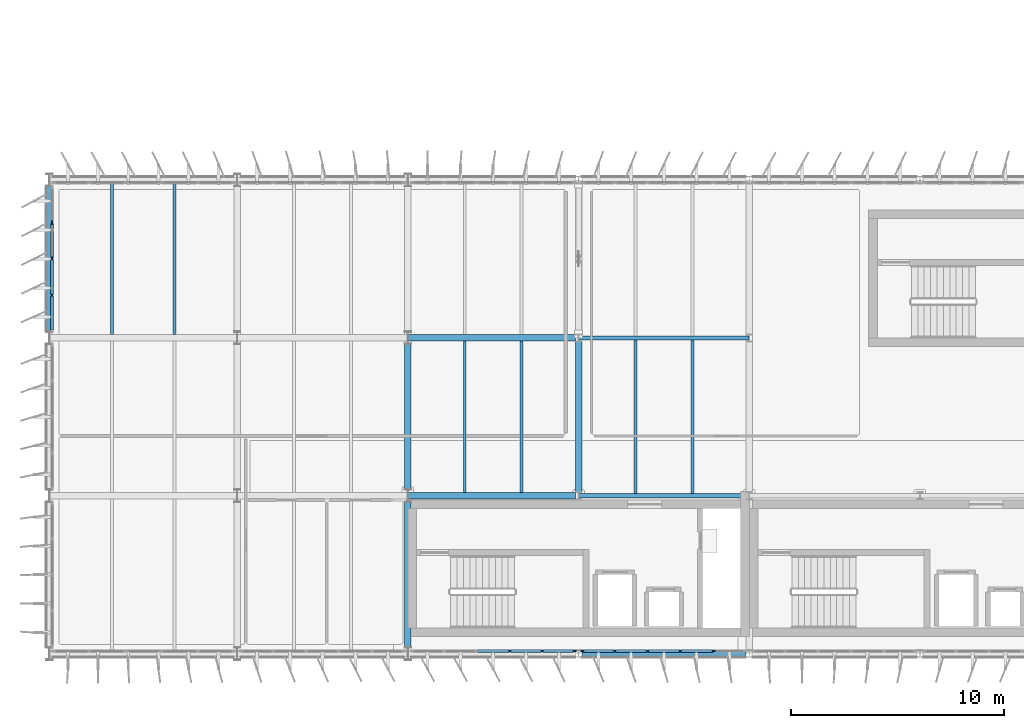
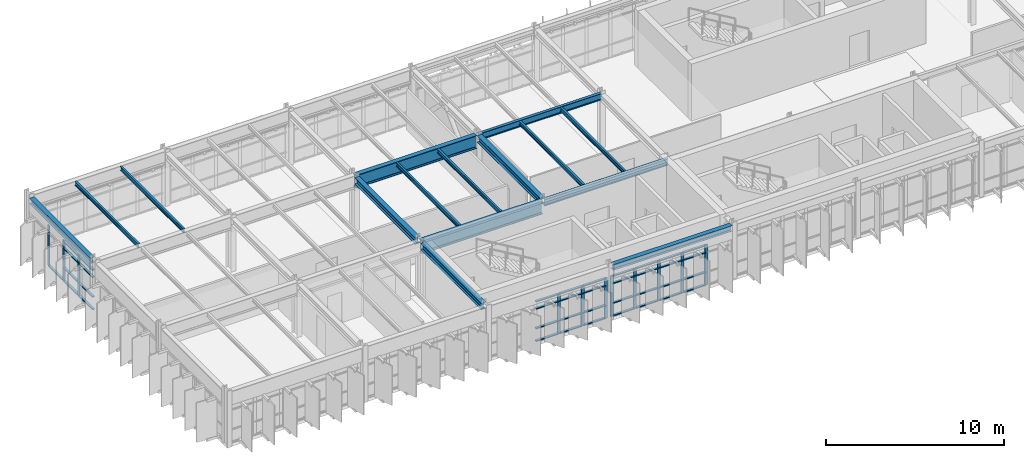
# One storey, part 8 of 45: 48 members, 15 beams, 3 elements without a shape of their own.
"""IFC4 building model written with IfcOpenShell, lengths in metres."""

from ifc_helpers import new_model, si_unit, direction, frame, origin, origin_2d, place, context, subcontext, project, spatial, rectangle, i_section, extrude, material, layer, layer_set, material_profile, profile_set, type_object, element, aggregate, save


model = new_model("IFC4")

# Units and contexts
model_context = context("Model", 3, precision=1e-05, world=origin(), true_north=direction((0.0, 1.0)))
body_context = subcontext(model_context, "Body", "Model", "MODEL_VIEW")
ifc_project = project(units=[si_unit("LENGTHUNIT", "METRE"), si_unit("AREAUNIT", "SQUARE_METRE"), si_unit("VOLUMEUNIT", "CUBIC_METRE"), si_unit("PLANEANGLEUNIT", "RADIAN"), si_unit("MASSUNIT", "GRAM", prefix="KILO")], contexts=[model_context])

# Site, building, storey
site_placement = place(None, origin())
site = spatial("IfcSite", under=ifc_project, at=site_placement, CompositionType="ELEMENT")
building_placement = place(site_placement, origin())
building = spatial("IfcBuilding", under=site, at=building_placement, Name="Valkorina Park Police Headquarters", CompositionType="ELEMENT")
storey_placement = place(building_placement, frame((0.0, 0.0, 23.300048828125)))
storey = spatial("IfcBuildingStorey", under=building, at=storey_placement, Name="L06", CompositionType="ELEMENT", Elevation=23.300048828125)

# Beams
ifc_material_1 = material(Name="Steel S355", Category="steel")
ifc_material_profile_1 = material_profile(ifc_material_1, i_section(OverallWidth=0.300048828125, OverallDepth=0.389892578125, WebThickness=0.010986328125, FlangeThickness=0.01904296875, FilletRadius=0.027099609375, at=origin_2d()), Name="HEA 400")
ifc_profile_set_1 = profile_set([ifc_material_profile_1], Name="Steel S355")
beam_type_1 = type_object("IfcBeamType", Name="BM-S355-HEA400-SPN", PredefinedType="SPANDREL", material=ifc_profile_set_1)
beam_1_placement = place(storey_placement, frame((24.949951171875, 37.0, 3.48486328125), z_axis=(1.0, 0.0, 0.0), x_axis=(0.0, 1.0, 0.0)))
element("IfcBeam", 1, at=beam_1_placement, inside=storey, type_object=beam_type_1, Name="L06 Framing Beam 2605", PredefinedType="SPANDREL", context=body_context, shape_type="SweptSolid", body=[
    extrude(i_section(OverallWidth=0.300048828125, OverallDepth=0.389892578125, WebThickness=0.010986328125, FlangeThickness=0.01904296875, FilletRadius=0.027099609375, at=origin_2d()), origin(), (0.0, 0.0, 1.0), 7.699951171875),
])
beam_2_placement = place(storey_placement, frame((0.0, 52.10009765625, 3.48486328125), z_axis=(0.0, 1.0, 0.0), x_axis=(-1.0, 0.0, 0.0)))
element("IfcBeam", 2, at=beam_2_placement, inside=storey, type_object=beam_type_1, Name="L06 Framing Beam 2661", PredefinedType="SPANDREL", context=body_context, shape_type="SweptSolid", body=[
    extrude(i_section(OverallWidth=0.300048828125, OverallDepth=0.389892578125, WebThickness=0.010986328125, FlangeThickness=0.01904296875, FilletRadius=0.027099609375, at=origin_2d()), origin(), (0.0, 0.0, 1.0), 6.7998046875),
])
ifc_material_profile_2 = material_profile(ifc_material_1, i_section(OverallWidth=0.300048828125, OverallDepth=0.449951171875, WebThickness=0.013916015625, FlangeThickness=0.02587890625, FilletRadius=0.027099609375, at=origin_2d()), Name="HEB 450")
ifc_profile_set_2 = profile_set([ifc_material_profile_2], Name="Steel S355")
beam_type_2 = type_object("IfcBeamType", Name="BM-S355-HEB450-BM", PredefinedType="BEAM", material=ifc_profile_set_2)
for number, where, z_axis, x_axis, name in (
    (3, (16.800048828125, 37.300048828125, 3.454833984375), (0.0, 1.0, 0.0), (-1.0, 0.0, 0.0), "L06 Framing Beam 2673"),
    (4, (16.800048828125, 44.699951171875, 3.454833984375), (0.0, 1.0, 0.0), (-1.0, 0.0, 0.0), "L06 Framing Beam 2674"),
):
    element("IfcBeam", number, at=place(storey_placement, frame(where, z_axis=z_axis, x_axis=x_axis)), inside=storey, type_object=beam_type_2, Name=name, PredefinedType="BEAM", context=body_context, shape_type="SweptSolid", body=[
        extrude(i_section(OverallWidth=0.300048828125, OverallDepth=0.449951171875, WebThickness=0.013916015625, FlangeThickness=0.02587890625, FilletRadius=0.027099609375, at=origin_2d()), origin(), (0.0, 0.0, 1.0), 6.800048828125),
    ])
beam_3_placement = place(storey_placement, frame((24.800048828125, 44.580078125, 3.454833984375), z_axis=(0.0, 1.0, 0.0), x_axis=(-1.0, 0.0, 0.0)))
element("IfcBeam", 5, at=beam_3_placement, inside=storey, type_object=beam_type_2, Name="L06 Framing Beam 2680", PredefinedType="BEAM", context=body_context, shape_type="SweptSolid", body=[
    extrude(i_section(OverallWidth=0.300048828125, OverallDepth=0.449951171875, WebThickness=0.013916015625, FlangeThickness=0.02587890625, FilletRadius=0.027099609375, at=origin_2d()), origin(), (0.0, 0.0, 1.0), 7.0400390625),
])
ifc_material_profile_3 = material_profile(ifc_material_1, i_section(OverallWidth=0.300048828125, OverallDepth=0.89990234375, WebThickness=0.0185546875, FlangeThickness=0.034912109375, FilletRadius=0.030029296875, at=origin_2d()), Name="HEB 900")
ifc_profile_set_3 = profile_set([ifc_material_profile_3], Name="Steel S355")
beam_type_3 = type_object("IfcBeamType", Name="BM-S355-HEB900-BM", PredefinedType="BEAM", material=ifc_profile_set_3)
for number, where, z_axis, x_axis, name in (
    (6, (16.8076171875, 44.39990234375, 3.22998046875), (1.0, 0.0, 0.0), (0.0, 1.0, 0.0), "L06 Framing Beam 2616"),
    (7, (16.8076171875, 51.800048828125, 3.22998046875), (1.0, 0.0, 0.0), (0.0, 1.0, 0.0), "L06 Framing Beam 2625"),
):
    element("IfcBeam", number, at=place(storey_placement, frame(where, z_axis=z_axis, x_axis=x_axis)), inside=storey, type_object=beam_type_3, Name=name, PredefinedType="BEAM", context=body_context, shape_type="SweptSolid", body=[
        extrude(i_section(OverallWidth=0.300048828125, OverallDepth=0.89990234375, WebThickness=0.0185546875, FlangeThickness=0.034912109375, FilletRadius=0.030029296875, at=origin_2d()), origin(), (0.0, 0.0, 1.0), 7.84228515625),
    ])
ifc_material_profile_4 = material_profile(ifc_material_1, i_section(OverallWidth=0.135009765625, OverallDepth=0.27001953125, WebThickness=0.006591796875, FlangeThickness=0.01025390625, FilletRadius=0.014892578125, at=origin_2d()), Name="IPE 270")
ifc_profile_set_4 = profile_set([ifc_material_profile_4], Name="Steel S355")
beam_type_4 = type_object("IfcBeamType", Name="BM-S355-IPE270-JST", PredefinedType="JOIST", material=ifc_profile_set_4)
for number, where, z_axis, x_axis, name in (
    (8, (2.933349609375, 51.949951171875, 3.544921875), (0.0, 1.0, 0.0), (-1.0, 0.0, 0.0), "L06 Framing Beam 2662"),
    (9, (5.86669921875, 51.949951171875, 3.544921875), (0.0, 1.0, 0.0), (-1.0, 0.0, 0.0), "L06 Framing Beam 2663"),
):
    element("IfcBeam", number, at=place(storey_placement, frame(where, z_axis=z_axis, x_axis=x_axis)), inside=storey, type_object=beam_type_4, Name=name, PredefinedType="JOIST", context=body_context, shape_type="SweptSolid", body=[
        extrude(i_section(OverallWidth=0.135009765625, OverallDepth=0.27001953125, WebThickness=0.006591796875, FlangeThickness=0.01025390625, FilletRadius=0.014892578125, at=origin_2d()), origin(), (0.0, 0.0, 1.0), 7.10009765625),
    ])
for number, where, z_axis, x_axis, name in (
    (10, (19.466796875, 44.550048828125, 3.544921875), (0.0, 1.0, 0.0), (-1.0, 0.0, 0.0), "L06 Framing Beam 2675"),
    (11, (22.13330078125, 44.550048828125, 3.544921875), (0.0, 1.0, 0.0), (-1.0, 0.0, 0.0), "L06 Framing Beam 2676"),
):
    element("IfcBeam", number, at=place(storey_placement, frame(where, z_axis=z_axis, x_axis=x_axis)), inside=storey, type_object=beam_type_4, Name=name, PredefinedType="JOIST", context=body_context, shape_type="SweptSolid", body=[
        extrude(i_section(OverallWidth=0.135009765625, OverallDepth=0.27001953125, WebThickness=0.006591796875, FlangeThickness=0.01025390625, FilletRadius=0.014892578125, at=origin_2d()), origin(), (0.0, 0.0, 1.0), 7.099853515625),
    ])
for number, where, z_axis, x_axis, name in (
    (12, (27.466796875, 44.4951171875, 3.544921875), (0.0, 1.0, 0.0), (-1.0, 0.0, 0.0), "L06 Framing Beam 2681"),
    (13, (30.13330078125, 44.4951171875, 3.544921875), (0.0, 1.0, 0.0), (-1.0, 0.0, 0.0), "L06 Framing Beam 2682"),
):
    element("IfcBeam", number, at=place(storey_placement, frame(where, z_axis=z_axis, x_axis=x_axis)), inside=storey, type_object=beam_type_4, Name=name, PredefinedType="JOIST", context=body_context, shape_type="SweptSolid", body=[
        extrude(i_section(OverallWidth=0.135009765625, OverallDepth=0.27001953125, WebThickness=0.006591796875, FlangeThickness=0.01025390625, FilletRadius=0.014892578125, at=origin_2d()), origin(), (0.0, 0.0, 1.0), 7.2099609375),
    ])
ifc_material_profile_5 = material_profile(ifc_material_1, i_section(OverallWidth=0.18994140625, OverallDepth=0.449951171875, WebThickness=0.009521484375, FlangeThickness=0.0146484375, FilletRadius=0.02099609375, at=origin_2d()), Name="IPE 450")
ifc_profile_set_5 = profile_set([ifc_material_profile_5], Name="Steel S355")
beam_type_5 = type_object("IfcBeamType", Name="BM-S355-IPE450-BM", PredefinedType="BEAM", material=ifc_profile_set_5)
for number, where, z_axis, x_axis, name in (
    (14, (24.806396484375, 44.39990234375, 3.454833984375), (1.0, 0.0, 0.0), (0.0, 1.0, 0.0), "L06 Framing Beam 2617"),
    (15, (24.806396484375, 51.800048828125, 3.454833984375), (1.0, 0.0, 0.0), (0.0, 1.0, 0.0), "L06 Framing Beam 2626"),
):
    element("IfcBeam", number, at=place(storey_placement, frame(where, z_axis=z_axis, x_axis=x_axis)), inside=storey, type_object=beam_type_5, Name=name, PredefinedType="BEAM", context=body_context, shape_type="SweptSolid", body=[
        extrude(i_section(OverallWidth=0.18994140625, OverallDepth=0.449951171875, WebThickness=0.009521484375, FlangeThickness=0.0146484375, FilletRadius=0.02099609375, at=origin_2d()), origin(), (0.0, 0.0, 1.0), 7.9873046875),
    ])

# Curtain wall, members
ifc_material_2 = material(Name="Thermally broken aluminium AW-6060", Category="aluminium")
ifc_layer_1 = layer(ifc_material_2, 0.18994140625)
ifc_layer_set_1 = layer_set([ifc_layer_1], Name="Thermally broken aluminium AW-6060")
curtain_wall_type_1 = type_object("IfcCurtainWallType", Name="CW-V5-6780x2770", PredefinedType="NOTDEFINED", material=ifc_layer_set_1)
curtain_wall_1_placement = place(storey_placement, origin())
curtain_wall_1 = element("IfcCurtainWall", 16, at=curtain_wall_1_placement, inside=storey, type_object=curtain_wall_type_1, Name="L06 Unitised Curtain Wall 099", PredefinedType="NOTDEFINED")
ifc_material_profile_6 = material_profile(ifc_material_2, rectangle(XDim=0.070068359375, YDim=0.18994140625, at=origin_2d()), Name="CWM-02 70x190")
ifc_profile_set_6 = profile_set([ifc_material_profile_6], Name="Thermally broken aluminium AW-6060")
member_type_1 = type_object("IfcMemberType", Name="CWM-70x190", PredefinedType="MULLION", material=ifc_profile_set_6)
member_1_placement = place(storey_placement, frame((0.1201171875, 53.804931640625, 0.0), z_axis=(0.0, 0.0, 1.0), x_axis=(-1.0, 0.0, 0.0)))
member_1 = element("IfcMember", 17, at=member_1_placement, type_object=member_type_1, Name="CW-V5-678-277 mullion 2", PredefinedType="MULLION", context=body_context, shape_type="SweptSolid", body=[
    extrude(rectangle(XDim=0.070068359375, YDim=0.18994140625, at=origin_2d()), origin(), (0.0, 0.0, 1.0), 2.77001953125),
])
member_2_placement = place(storey_placement, frame((0.1201171875, 55.5, 0.0), z_axis=(0.0, 0.0, 1.0), x_axis=(-1.0, 0.0, 0.0)))
member_2 = element("IfcMember", 18, at=member_2_placement, type_object=member_type_1, Name="CW-V5-678-277 mullion 3", PredefinedType="MULLION", context=body_context, shape_type="SweptSolid", body=[
    extrude(rectangle(XDim=0.070068359375, YDim=0.18994140625, at=origin_2d()), origin(), (0.0, 0.0, 1.0), 2.77001953125),
])
member_3_placement = place(storey_placement, frame((0.1201171875, 57.195068359375, 0.0), z_axis=(0.0, 0.0, 1.0), x_axis=(-1.0, 0.0, 0.0)))
member_3 = element("IfcMember", 19, at=member_3_placement, type_object=member_type_1, Name="CW-V5-678-277 mullion 4", PredefinedType="MULLION", context=body_context, shape_type="SweptSolid", body=[
    extrude(rectangle(XDim=0.070068359375, YDim=0.18994140625, at=origin_2d()), origin(), (0.0, 0.0, 1.0), 2.77001953125),
])

ifc_layer_2 = layer(ifc_material_2, 0.18994140625)
ifc_layer_set_2 = layer_set([ifc_layer_2], Name="Thermally broken aluminium AW-6060")
curtain_wall_type_2 = type_object("IfcCurtainWallType", Name="CW-V5-7680x2770", PredefinedType="NOTDEFINED", material=ifc_layer_set_2)
curtain_wall_2_placement = place(storey_placement, origin())
curtain_wall_2 = element("IfcCurtainWall", 20, at=curtain_wall_2_placement, inside=storey, type_object=curtain_wall_type_2, Name="L06 Unitised Curtain Wall 129", PredefinedType="NOTDEFINED")
member_4_placement = place(storey_placement, frame((31.10400390625, 37.1201171875, 0.0), z_axis=(0.0, 0.0, 1.0), x_axis=(0.0, -1.0, 0.0)))
member_4 = element("IfcMember", 21, at=member_4_placement, type_object=member_type_1, Name="CW-V5-768-277 mullion 2", PredefinedType="MULLION", context=body_context, shape_type="SweptSolid", body=[
    extrude(rectangle(XDim=0.070068359375, YDim=0.18994140625, at=origin_2d()), origin(), (0.0, 0.0, 1.0), 2.77001953125),
])
member_5_placement = place(storey_placement, frame((29.568115234375, 37.1201171875, 0.0), z_axis=(0.0, 0.0, 1.0), x_axis=(0.0, -1.0, 0.0)))
member_5 = element("IfcMember", 22, at=member_5_placement, type_object=member_type_1, Name="CW-V5-768-277 mullion 3", PredefinedType="MULLION", context=body_context, shape_type="SweptSolid", body=[
    extrude(rectangle(XDim=0.070068359375, YDim=0.18994140625, at=origin_2d()), origin(), (0.0, 0.0, 1.0), 2.77001953125),
])
member_6_placement = place(storey_placement, frame((28.031982421875, 37.1201171875, 0.0), z_axis=(0.0, 0.0, 1.0), x_axis=(0.0, -1.0, 0.0)))
member_6 = element("IfcMember", 23, at=member_6_placement, type_object=member_type_1, Name="CW-V5-768-277 mullion 4", PredefinedType="MULLION", context=body_context, shape_type="SweptSolid", body=[
    extrude(rectangle(XDim=0.070068359375, YDim=0.18994140625, at=origin_2d()), origin(), (0.0, 0.0, 1.0), 2.77001953125),
])
member_7_placement = place(storey_placement, frame((26.49609375, 37.1201171875, 0.0), z_axis=(0.0, 0.0, 1.0), x_axis=(0.0, -1.0, 0.0)))
member_7 = element("IfcMember", 24, at=member_7_placement, type_object=member_type_1, Name="CW-V5-768-277 mullion 5", PredefinedType="MULLION", context=body_context, shape_type="SweptSolid", body=[
    extrude(rectangle(XDim=0.070068359375, YDim=0.18994140625, at=origin_2d()), origin(), (0.0, 0.0, 1.0), 2.77001953125),
])
member_8_placement = place(storey_placement, frame((24.9951171875, 37.1201171875, 0.0), z_axis=(0.0, 0.0, 1.0), x_axis=(0.0, -1.0, 0.0)))
member_8 = element("IfcMember", 25, at=member_8_placement, type_object=member_type_1, Name="CW-V5-768-277 mullion 6", PredefinedType="MULLION", context=body_context, shape_type="SweptSolid", body=[
    extrude(rectangle(XDim=0.070068359375, YDim=0.18994140625, at=origin_2d()), origin(), (0.0, 0.0, 1.0), 2.77001953125),
])

curtain_wall_3_placement = place(storey_placement, origin())
curtain_wall_3 = element("IfcCurtainWall", 26, at=curtain_wall_3_placement, inside=storey, type_object=curtain_wall_type_2, Name="L06 Unitised Curtain Wall 130", PredefinedType="NOTDEFINED")
member_9_placement = place(storey_placement, frame((24.60498046875, 37.1201171875, 0.0), z_axis=(0.0, 0.0, 1.0), x_axis=(0.0, -1.0, 0.0)))
member_9 = element("IfcMember", 27, at=member_9_placement, type_object=member_type_1, Name="CW-V5-768-277 mullion 1", PredefinedType="MULLION", context=body_context, shape_type="SweptSolid", body=[
    extrude(rectangle(XDim=0.070068359375, YDim=0.18994140625, at=origin_2d()), origin(), (0.0, 0.0, 1.0), 2.77001953125),
])
member_10_placement = place(storey_placement, frame((23.10400390625, 37.1201171875, 0.0), z_axis=(0.0, 0.0, 1.0), x_axis=(0.0, -1.0, 0.0)))
member_10 = element("IfcMember", 28, at=member_10_placement, type_object=member_type_1, Name="CW-V5-768-277 mullion 2", PredefinedType="MULLION", context=body_context, shape_type="SweptSolid", body=[
    extrude(rectangle(XDim=0.070068359375, YDim=0.18994140625, at=origin_2d()), origin(), (0.0, 0.0, 1.0), 2.77001953125),
])
member_11_placement = place(storey_placement, frame((21.568115234375, 37.1201171875, 0.0), z_axis=(0.0, 0.0, 1.0), x_axis=(0.0, -1.0, 0.0)))
member_11 = element("IfcMember", 29, at=member_11_placement, type_object=member_type_1, Name="CW-V5-768-277 mullion 3", PredefinedType="MULLION", context=body_context, shape_type="SweptSolid", body=[
    extrude(rectangle(XDim=0.070068359375, YDim=0.18994140625, at=origin_2d()), origin(), (0.0, 0.0, 1.0), 2.77001953125),
])

# Member
ifc_material_profile_7 = material_profile(ifc_material_2, rectangle(XDim=0.14990234375, YDim=0.070068359375, at=origin_2d()), Name="CWT-02 150x70")
ifc_profile_set_7 = profile_set([ifc_material_profile_7], Name="Thermally broken aluminium AW-6060")
member_type_2 = type_object("IfcMemberType", Name="CWT-150x70", PredefinedType="USERDEFINED", material=ifc_profile_set_7)
member_12_placement = place(storey_placement, frame((0.1201171875, 52.179931640625, 0.034912109375), z_axis=(0.0, 1.0, 0.0), x_axis=(-1.0, 0.0, 0.0)))
member_12 = element("IfcMember", 30, at=member_12_placement, type_object=member_type_2, Name="CW-V5-678-277 transom 1.1", ObjectType="TRANSOM", PredefinedType="USERDEFINED", context=body_context, shape_type="SweptSolid", body=[
    extrude(rectangle(XDim=0.14990234375, YDim=0.070068359375, at=origin_2d()), origin(), (0.0, 0.0, 1.0), 1.590087890625),
])

member_13_placement = place(storey_placement, frame((0.1201171875, 52.179931640625, 0.89990234375), z_axis=(0.0, 1.0, 0.0), x_axis=(-1.0, 0.0, 0.0)))
member_13 = element("IfcMember", 31, at=member_13_placement, type_object=member_type_2, Name="CW-V5-678-277 transom 1.2", ObjectType="TRANSOM", PredefinedType="USERDEFINED", context=body_context, shape_type="SweptSolid", body=[
    extrude(rectangle(XDim=0.14990234375, YDim=0.070068359375, at=origin_2d()), origin(), (0.0, 0.0, 1.0), 1.590087890625),
])

member_14_placement = place(storey_placement, frame((0.1201171875, 52.179931640625, 2.25), z_axis=(0.0, 1.0, 0.0), x_axis=(-1.0, 0.0, 0.0)))
member_14 = element("IfcMember", 32, at=member_14_placement, type_object=member_type_2, Name="CW-V5-678-277 transom 1.3", ObjectType="TRANSOM", PredefinedType="USERDEFINED", context=body_context, shape_type="SweptSolid", body=[
    extrude(rectangle(XDim=0.14990234375, YDim=0.070068359375, at=origin_2d()), origin(), (0.0, 0.0, 1.0), 1.590087890625),
])

member_15_placement = place(storey_placement, frame((0.1201171875, 52.179931640625, 2.73486328125), z_axis=(0.0, 1.0, 0.0), x_axis=(-1.0, 0.0, 0.0)))
member_15 = element("IfcMember", 33, at=member_15_placement, type_object=member_type_2, Name="CW-V5-678-277 transom 1.4", ObjectType="TRANSOM", PredefinedType="USERDEFINED", context=body_context, shape_type="SweptSolid", body=[
    extrude(rectangle(XDim=0.14990234375, YDim=0.070068359375, at=origin_2d()), origin(), (0.0, 0.0, 1.0), 1.590087890625),
])

member_16_placement = place(storey_placement, frame((0.1201171875, 53.840087890625, 0.034912109375), z_axis=(0.0, 1.0, 0.0), x_axis=(-1.0, 0.0, 0.0)))
member_16 = element("IfcMember", 34, at=member_16_placement, type_object=member_type_2, Name="CW-V5-678-277 transom 2.1", ObjectType="TRANSOM", PredefinedType="USERDEFINED", context=body_context, shape_type="SweptSolid", body=[
    extrude(rectangle(XDim=0.14990234375, YDim=0.070068359375, at=origin_2d()), origin(), (0.0, 0.0, 1.0), 1.625),
])

member_17_placement = place(storey_placement, frame((0.1201171875, 53.840087890625, 0.89990234375), z_axis=(0.0, 1.0, 0.0), x_axis=(-1.0, 0.0, 0.0)))
member_17 = element("IfcMember", 35, at=member_17_placement, type_object=member_type_2, Name="CW-V5-678-277 transom 2.2", ObjectType="TRANSOM", PredefinedType="USERDEFINED", context=body_context, shape_type="SweptSolid", body=[
    extrude(rectangle(XDim=0.14990234375, YDim=0.070068359375, at=origin_2d()), origin(), (0.0, 0.0, 1.0), 1.625),
])

member_18_placement = place(storey_placement, frame((0.1201171875, 53.840087890625, 2.25), z_axis=(0.0, 1.0, 0.0), x_axis=(-1.0, 0.0, 0.0)))
member_18 = element("IfcMember", 36, at=member_18_placement, type_object=member_type_2, Name="CW-V5-678-277 transom 2.3", ObjectType="TRANSOM", PredefinedType="USERDEFINED", context=body_context, shape_type="SweptSolid", body=[
    extrude(rectangle(XDim=0.14990234375, YDim=0.070068359375, at=origin_2d()), origin(), (0.0, 0.0, 1.0), 1.625),
])

member_19_placement = place(storey_placement, frame((0.1201171875, 53.840087890625, 2.73486328125), z_axis=(0.0, 1.0, 0.0), x_axis=(-1.0, 0.0, 0.0)))
member_19 = element("IfcMember", 37, at=member_19_placement, type_object=member_type_2, Name="CW-V5-678-277 transom 2.4", ObjectType="TRANSOM", PredefinedType="USERDEFINED", context=body_context, shape_type="SweptSolid", body=[
    extrude(rectangle(XDim=0.14990234375, YDim=0.070068359375, at=origin_2d()), origin(), (0.0, 0.0, 1.0), 1.625),
])

member_20_placement = place(storey_placement, frame((0.1201171875, 55.534912109375, 0.034912109375), z_axis=(0.0, 1.0, 0.0), x_axis=(-1.0, 0.0, 0.0)))
member_20 = element("IfcMember", 38, at=member_20_placement, type_object=member_type_2, Name="CW-V5-678-277 transom 3.1", ObjectType="TRANSOM", PredefinedType="USERDEFINED", context=body_context, shape_type="SweptSolid", body=[
    extrude(rectangle(XDim=0.14990234375, YDim=0.070068359375, at=origin_2d()), origin(), (0.0, 0.0, 1.0), 1.625),
])

aggregate(curtain_wall_1, [member_1, member_2, member_3, member_12, member_13, member_14, member_15, member_16, member_17, member_18, member_19, member_20])

member_21_placement = place(storey_placement, frame((31.069091796875, 37.1201171875, 0.034912109375), z_axis=(-1.0, 0.0, 0.0), x_axis=(0.0, -1.0, 0.0)))
member_21 = element("IfcMember", 39, at=member_21_placement, type_object=member_type_2, Name="CW-V5-768-277 transom 2.1", ObjectType="TRANSOM", PredefinedType="USERDEFINED", context=body_context, shape_type="SweptSolid", body=[
    extrude(rectangle(XDim=0.14990234375, YDim=0.070068359375, at=origin_2d()), origin(), (0.0, 0.0, 1.0), 1.466064453125),
])

member_22_placement = place(storey_placement, frame((31.069091796875, 37.1201171875, 0.89990234375), z_axis=(-1.0, 0.0, 0.0), x_axis=(0.0, -1.0, 0.0)))
member_22 = element("IfcMember", 40, at=member_22_placement, type_object=member_type_2, Name="CW-V5-768-277 transom 2.2", ObjectType="TRANSOM", PredefinedType="USERDEFINED", context=body_context, shape_type="SweptSolid", body=[
    extrude(rectangle(XDim=0.14990234375, YDim=0.070068359375, at=origin_2d()), origin(), (0.0, 0.0, 1.0), 1.466064453125),
])

member_23_placement = place(storey_placement, frame((31.069091796875, 37.1201171875, 2.25), z_axis=(-1.0, 0.0, 0.0), x_axis=(0.0, -1.0, 0.0)))
member_23 = element("IfcMember", 41, at=member_23_placement, type_object=member_type_2, Name="CW-V5-768-277 transom 2.3", ObjectType="TRANSOM", PredefinedType="USERDEFINED", context=body_context, shape_type="SweptSolid", body=[
    extrude(rectangle(XDim=0.14990234375, YDim=0.070068359375, at=origin_2d()), origin(), (0.0, 0.0, 1.0), 1.466064453125),
])

member_24_placement = place(storey_placement, frame((31.069091796875, 37.1201171875, 2.73486328125), z_axis=(-1.0, 0.0, 0.0), x_axis=(0.0, -1.0, 0.0)))
member_24 = element("IfcMember", 42, at=member_24_placement, type_object=member_type_2, Name="CW-V5-768-277 transom 2.4", ObjectType="TRANSOM", PredefinedType="USERDEFINED", context=body_context, shape_type="SweptSolid", body=[
    extrude(rectangle(XDim=0.14990234375, YDim=0.070068359375, at=origin_2d()), origin(), (0.0, 0.0, 1.0), 1.466064453125),
])

member_25_placement = place(storey_placement, frame((29.532958984375, 37.1201171875, 0.034912109375), z_axis=(-1.0, 0.0, 0.0), x_axis=(0.0, -1.0, 0.0)))
member_25 = element("IfcMember", 43, at=member_25_placement, type_object=member_type_2, Name="CW-V5-768-277 transom 3.1", ObjectType="TRANSOM", PredefinedType="USERDEFINED", context=body_context, shape_type="SweptSolid", body=[
    extrude(rectangle(XDim=0.14990234375, YDim=0.070068359375, at=origin_2d()), origin(), (0.0, 0.0, 1.0), 1.466064453125),
])

member_26_placement = place(storey_placement, frame((29.532958984375, 37.1201171875, 0.89990234375), z_axis=(-1.0, 0.0, 0.0), x_axis=(0.0, -1.0, 0.0)))
member_26 = element("IfcMember", 44, at=member_26_placement, type_object=member_type_2, Name="CW-V5-768-277 transom 3.2", ObjectType="TRANSOM", PredefinedType="USERDEFINED", context=body_context, shape_type="SweptSolid", body=[
    extrude(rectangle(XDim=0.14990234375, YDim=0.070068359375, at=origin_2d()), origin(), (0.0, 0.0, 1.0), 1.466064453125),
])

member_27_placement = place(storey_placement, frame((29.532958984375, 37.1201171875, 2.25), z_axis=(-1.0, 0.0, 0.0), x_axis=(0.0, -1.0, 0.0)))
member_27 = element("IfcMember", 45, at=member_27_placement, type_object=member_type_2, Name="CW-V5-768-277 transom 3.3", ObjectType="TRANSOM", PredefinedType="USERDEFINED", context=body_context, shape_type="SweptSolid", body=[
    extrude(rectangle(XDim=0.14990234375, YDim=0.070068359375, at=origin_2d()), origin(), (0.0, 0.0, 1.0), 1.466064453125),
])

member_28_placement = place(storey_placement, frame((29.532958984375, 37.1201171875, 2.73486328125), z_axis=(-1.0, 0.0, 0.0), x_axis=(0.0, -1.0, 0.0)))
member_28 = element("IfcMember", 46, at=member_28_placement, type_object=member_type_2, Name="CW-V5-768-277 transom 3.4", ObjectType="TRANSOM", PredefinedType="USERDEFINED", context=body_context, shape_type="SweptSolid", body=[
    extrude(rectangle(XDim=0.14990234375, YDim=0.070068359375, at=origin_2d()), origin(), (0.0, 0.0, 1.0), 1.466064453125),
])

member_29_placement = place(storey_placement, frame((27.9970703125, 37.1201171875, 0.034912109375), z_axis=(-1.0, 0.0, 0.0), x_axis=(0.0, -1.0, 0.0)))
member_29 = element("IfcMember", 47, at=member_29_placement, type_object=member_type_2, Name="CW-V5-768-277 transom 4.1", ObjectType="TRANSOM", PredefinedType="USERDEFINED", context=body_context, shape_type="SweptSolid", body=[
    extrude(rectangle(XDim=0.14990234375, YDim=0.070068359375, at=origin_2d()), origin(), (0.0, 0.0, 1.0), 1.466064453125),
])

member_30_placement = place(storey_placement, frame((27.9970703125, 37.1201171875, 0.89990234375), z_axis=(-1.0, 0.0, 0.0), x_axis=(0.0, -1.0, 0.0)))
member_30 = element("IfcMember", 48, at=member_30_placement, type_object=member_type_2, Name="CW-V5-768-277 transom 4.2", ObjectType="TRANSOM", PredefinedType="USERDEFINED", context=body_context, shape_type="SweptSolid", body=[
    extrude(rectangle(XDim=0.14990234375, YDim=0.070068359375, at=origin_2d()), origin(), (0.0, 0.0, 1.0), 1.466064453125),
])

member_31_placement = place(storey_placement, frame((27.9970703125, 37.1201171875, 2.25), z_axis=(-1.0, 0.0, 0.0), x_axis=(0.0, -1.0, 0.0)))
member_31 = element("IfcMember", 49, at=member_31_placement, type_object=member_type_2, Name="CW-V5-768-277 transom 4.3", ObjectType="TRANSOM", PredefinedType="USERDEFINED", context=body_context, shape_type="SweptSolid", body=[
    extrude(rectangle(XDim=0.14990234375, YDim=0.070068359375, at=origin_2d()), origin(), (0.0, 0.0, 1.0), 1.466064453125),
])

member_32_placement = place(storey_placement, frame((27.9970703125, 37.1201171875, 2.73486328125), z_axis=(-1.0, 0.0, 0.0), x_axis=(0.0, -1.0, 0.0)))
member_32 = element("IfcMember", 50, at=member_32_placement, type_object=member_type_2, Name="CW-V5-768-277 transom 4.4", ObjectType="TRANSOM", PredefinedType="USERDEFINED", context=body_context, shape_type="SweptSolid", body=[
    extrude(rectangle(XDim=0.14990234375, YDim=0.070068359375, at=origin_2d()), origin(), (0.0, 0.0, 1.0), 1.466064453125),
])

member_33_placement = place(storey_placement, frame((26.4609375, 37.1201171875, 0.034912109375), z_axis=(-1.0, 0.0, 0.0), x_axis=(0.0, -1.0, 0.0)))
member_33 = element("IfcMember", 51, at=member_33_placement, type_object=member_type_2, Name="CW-V5-768-277 transom 5.1", ObjectType="TRANSOM", PredefinedType="USERDEFINED", context=body_context, shape_type="SweptSolid", body=[
    extrude(rectangle(XDim=0.14990234375, YDim=0.070068359375, at=origin_2d()), origin(), (0.0, 0.0, 1.0), 1.430908203125),
])

member_34_placement = place(storey_placement, frame((26.4609375, 37.1201171875, 0.89990234375), z_axis=(-1.0, 0.0, 0.0), x_axis=(0.0, -1.0, 0.0)))
member_34 = element("IfcMember", 52, at=member_34_placement, type_object=member_type_2, Name="CW-V5-768-277 transom 5.2", ObjectType="TRANSOM", PredefinedType="USERDEFINED", context=body_context, shape_type="SweptSolid", body=[
    extrude(rectangle(XDim=0.14990234375, YDim=0.070068359375, at=origin_2d()), origin(), (0.0, 0.0, 1.0), 1.430908203125),
])

member_35_placement = place(storey_placement, frame((26.4609375, 37.1201171875, 2.25), z_axis=(-1.0, 0.0, 0.0), x_axis=(0.0, -1.0, 0.0)))
member_35 = element("IfcMember", 53, at=member_35_placement, type_object=member_type_2, Name="CW-V5-768-277 transom 5.3", ObjectType="TRANSOM", PredefinedType="USERDEFINED", context=body_context, shape_type="SweptSolid", body=[
    extrude(rectangle(XDim=0.14990234375, YDim=0.070068359375, at=origin_2d()), origin(), (0.0, 0.0, 1.0), 1.430908203125),
])

member_36_placement = place(storey_placement, frame((26.4609375, 37.1201171875, 2.73486328125), z_axis=(-1.0, 0.0, 0.0), x_axis=(0.0, -1.0, 0.0)))
member_36 = element("IfcMember", 54, at=member_36_placement, type_object=member_type_2, Name="CW-V5-768-277 transom 5.4", ObjectType="TRANSOM", PredefinedType="USERDEFINED", context=body_context, shape_type="SweptSolid", body=[
    extrude(rectangle(XDim=0.14990234375, YDim=0.070068359375, at=origin_2d()), origin(), (0.0, 0.0, 1.0), 1.430908203125),
])

aggregate(curtain_wall_2, [member_4, member_5, member_6, member_7, member_8, member_21, member_22, member_23, member_24, member_25, member_26, member_27, member_28, member_29, member_30, member_31, member_32, member_33, member_34, member_35, member_36])

member_37_placement = place(storey_placement, frame((24.570068359375, 37.1201171875, 0.034912109375), z_axis=(-1.0, 0.0, 0.0), x_axis=(0.0, -1.0, 0.0)))
member_37 = element("IfcMember", 55, at=member_37_placement, type_object=member_type_2, Name="CW-V5-768-277 transom 1.1", ObjectType="TRANSOM", PredefinedType="USERDEFINED", context=body_context, shape_type="SweptSolid", body=[
    extrude(rectangle(XDim=0.14990234375, YDim=0.070068359375, at=origin_2d()), origin(), (0.0, 0.0, 1.0), 1.43115234375),
])

member_38_placement = place(storey_placement, frame((24.570068359375, 37.1201171875, 0.89990234375), z_axis=(-1.0, 0.0, 0.0), x_axis=(0.0, -1.0, 0.0)))
member_38 = element("IfcMember", 56, at=member_38_placement, type_object=member_type_2, Name="CW-V5-768-277 transom 1.2", ObjectType="TRANSOM", PredefinedType="USERDEFINED", context=body_context, shape_type="SweptSolid", body=[
    extrude(rectangle(XDim=0.14990234375, YDim=0.070068359375, at=origin_2d()), origin(), (0.0, 0.0, 1.0), 1.43115234375),
])

member_39_placement = place(storey_placement, frame((24.570068359375, 37.1201171875, 2.25), z_axis=(-1.0, 0.0, 0.0), x_axis=(0.0, -1.0, 0.0)))
member_39 = element("IfcMember", 57, at=member_39_placement, type_object=member_type_2, Name="CW-V5-768-277 transom 1.3", ObjectType="TRANSOM", PredefinedType="USERDEFINED", context=body_context, shape_type="SweptSolid", body=[
    extrude(rectangle(XDim=0.14990234375, YDim=0.070068359375, at=origin_2d()), origin(), (0.0, 0.0, 1.0), 1.43115234375),
])

member_40_placement = place(storey_placement, frame((24.570068359375, 37.1201171875, 2.73486328125), z_axis=(-1.0, 0.0, 0.0), x_axis=(0.0, -1.0, 0.0)))
member_40 = element("IfcMember", 58, at=member_40_placement, type_object=member_type_2, Name="CW-V5-768-277 transom 1.4", ObjectType="TRANSOM", PredefinedType="USERDEFINED", context=body_context, shape_type="SweptSolid", body=[
    extrude(rectangle(XDim=0.14990234375, YDim=0.070068359375, at=origin_2d()), origin(), (0.0, 0.0, 1.0), 1.43115234375),
])

member_41_placement = place(storey_placement, frame((23.069091796875, 37.1201171875, 0.034912109375), z_axis=(-1.0, 0.0, 0.0), x_axis=(0.0, -1.0, 0.0)))
member_41 = element("IfcMember", 59, at=member_41_placement, type_object=member_type_2, Name="CW-V5-768-277 transom 2.1", ObjectType="TRANSOM", PredefinedType="USERDEFINED", context=body_context, shape_type="SweptSolid", body=[
    extrude(rectangle(XDim=0.14990234375, YDim=0.070068359375, at=origin_2d()), origin(), (0.0, 0.0, 1.0), 1.466064453125),
])

member_42_placement = place(storey_placement, frame((23.069091796875, 37.1201171875, 0.89990234375), z_axis=(-1.0, 0.0, 0.0), x_axis=(0.0, -1.0, 0.0)))
member_42 = element("IfcMember", 60, at=member_42_placement, type_object=member_type_2, Name="CW-V5-768-277 transom 2.2", ObjectType="TRANSOM", PredefinedType="USERDEFINED", context=body_context, shape_type="SweptSolid", body=[
    extrude(rectangle(XDim=0.14990234375, YDim=0.070068359375, at=origin_2d()), origin(), (0.0, 0.0, 1.0), 1.466064453125),
])

member_43_placement = place(storey_placement, frame((23.069091796875, 37.1201171875, 2.25), z_axis=(-1.0, 0.0, 0.0), x_axis=(0.0, -1.0, 0.0)))
member_43 = element("IfcMember", 61, at=member_43_placement, type_object=member_type_2, Name="CW-V5-768-277 transom 2.3", ObjectType="TRANSOM", PredefinedType="USERDEFINED", context=body_context, shape_type="SweptSolid", body=[
    extrude(rectangle(XDim=0.14990234375, YDim=0.070068359375, at=origin_2d()), origin(), (0.0, 0.0, 1.0), 1.466064453125),
])

member_44_placement = place(storey_placement, frame((23.069091796875, 37.1201171875, 2.73486328125), z_axis=(-1.0, 0.0, 0.0), x_axis=(0.0, -1.0, 0.0)))
member_44 = element("IfcMember", 62, at=member_44_placement, type_object=member_type_2, Name="CW-V5-768-277 transom 2.4", ObjectType="TRANSOM", PredefinedType="USERDEFINED", context=body_context, shape_type="SweptSolid", body=[
    extrude(rectangle(XDim=0.14990234375, YDim=0.070068359375, at=origin_2d()), origin(), (0.0, 0.0, 1.0), 1.466064453125),
])

member_45_placement = place(storey_placement, frame((21.532958984375, 37.1201171875, 0.034912109375), z_axis=(-1.0, 0.0, 0.0), x_axis=(0.0, -1.0, 0.0)))
member_45 = element("IfcMember", 63, at=member_45_placement, type_object=member_type_2, Name="CW-V5-768-277 transom 3.1", ObjectType="TRANSOM", PredefinedType="USERDEFINED", context=body_context, shape_type="SweptSolid", body=[
    extrude(rectangle(XDim=0.14990234375, YDim=0.070068359375, at=origin_2d()), origin(), (0.0, 0.0, 1.0), 1.466064453125),
])

member_46_placement = place(storey_placement, frame((21.532958984375, 37.1201171875, 0.89990234375), z_axis=(-1.0, 0.0, 0.0), x_axis=(0.0, -1.0, 0.0)))
member_46 = element("IfcMember", 64, at=member_46_placement, type_object=member_type_2, Name="CW-V5-768-277 transom 3.2", ObjectType="TRANSOM", PredefinedType="USERDEFINED", context=body_context, shape_type="SweptSolid", body=[
    extrude(rectangle(XDim=0.14990234375, YDim=0.070068359375, at=origin_2d()), origin(), (0.0, 0.0, 1.0), 1.466064453125),
])

member_47_placement = place(storey_placement, frame((21.532958984375, 37.1201171875, 2.25), z_axis=(-1.0, 0.0, 0.0), x_axis=(0.0, -1.0, 0.0)))
member_47 = element("IfcMember", 65, at=member_47_placement, type_object=member_type_2, Name="CW-V5-768-277 transom 3.3", ObjectType="TRANSOM", PredefinedType="USERDEFINED", context=body_context, shape_type="SweptSolid", body=[
    extrude(rectangle(XDim=0.14990234375, YDim=0.070068359375, at=origin_2d()), origin(), (0.0, 0.0, 1.0), 1.466064453125),
])

member_48_placement = place(storey_placement, frame((21.532958984375, 37.1201171875, 2.73486328125), z_axis=(-1.0, 0.0, 0.0), x_axis=(0.0, -1.0, 0.0)))
member_48 = element("IfcMember", 66, at=member_48_placement, type_object=member_type_2, Name="CW-V5-768-277 transom 3.4", ObjectType="TRANSOM", PredefinedType="USERDEFINED", context=body_context, shape_type="SweptSolid", body=[
    extrude(rectangle(XDim=0.14990234375, YDim=0.070068359375, at=origin_2d()), origin(), (0.0, 0.0, 1.0), 1.466064453125),
])

aggregate(curtain_wall_3, [member_9, member_10, member_11, member_37, member_38, member_39, member_40, member_41, member_42, member_43, member_44, member_45, member_46, member_47, member_48])

save(model, "model.ifc")
